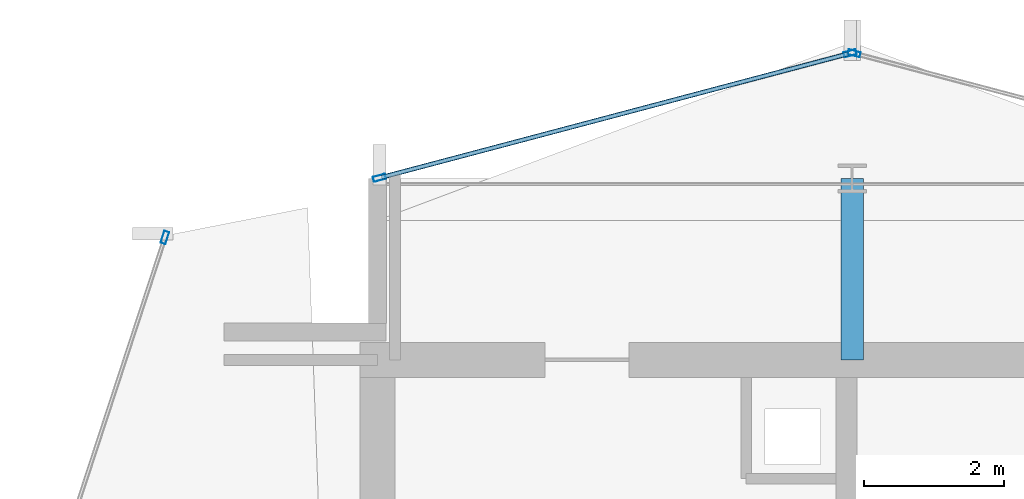
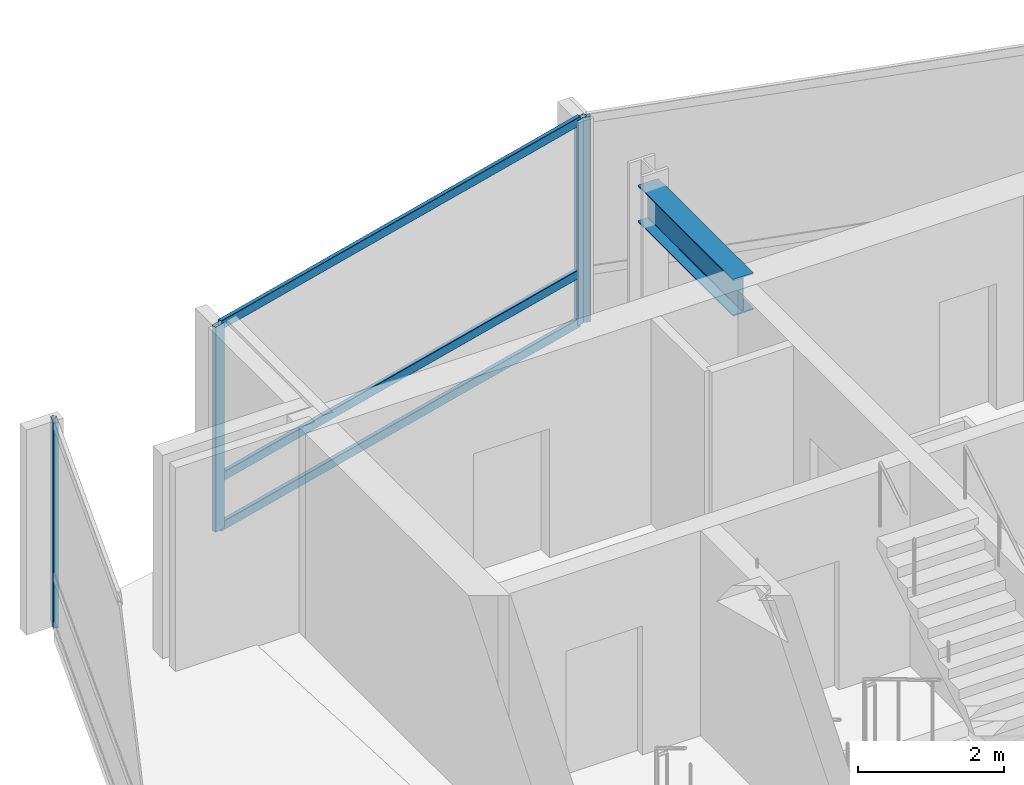
# One storey, part 16 of 27: 7 members, 1 beam, 3 elements without a shape of their own.
"""IFC4 building model written with IfcOpenShell, lengths in metres."""

from ifc_helpers import new_model, si_unit, direction, frame, origin, origin_2d, place, context, subcontext, project, spatial, hollow_rectangle, i_section, extrude, material, layer, layer_set, material_profile, profile_set, type_object, element, aggregate, save


model = new_model("IFC4")

# Units and contexts
model_context = context("Model", 3, precision=1e-05, world=origin(), true_north=direction((0.0, 1.0)))
body_context = subcontext(model_context, "Body", "Model", "MODEL_VIEW")
ifc_project = project(units=[si_unit("LENGTHUNIT", "METRE"), si_unit("AREAUNIT", "SQUARE_METRE"), si_unit("VOLUMEUNIT", "CUBIC_METRE"), si_unit("PLANEANGLEUNIT", "RADIAN"), si_unit("MASSUNIT", "GRAM", prefix="KILO")], contexts=[model_context])

# Site, building, storey
site_placement = place(None, origin())
site = spatial("IfcSite", under=ifc_project, at=site_placement, CompositionType="ELEMENT")
building_placement = place(site_placement, origin())
building = spatial("IfcBuilding", under=site, at=building_placement, Name="Solvaryn Broadcast Tower", CompositionType="ELEMENT")
storey_placement = place(building_placement, frame((0.0, 0.0, 174.199951171875)))
storey = spatial("IfcBuildingStorey", under=building, at=storey_placement, Name="L43", CompositionType="ELEMENT", Elevation=174.199951171875)

# Beam
ifc_material_1 = material(Name="Steel ASTM A992 Grade 50", Category="steel")
ifc_material_profile_1 = material_profile(ifc_material_1, i_section(OverallWidth=0.323974609375, OverallDepth=0.611083984375, WebThickness=0.0126953125, FlangeThickness=0.01904296875, FilletRadius=0.014892578125, at=origin_2d()))
ifc_profile_set_1 = profile_set([ifc_material_profile_1], Name="Steel ASTM A992 Grade 50")
beam_type = type_object("IfcBeamType", Name="BM-B1-W24X104", PredefinedType="BEAM", material=ifc_profile_set_1)
beam_placement = place(storey_placement, frame((18.0, 42.39990234375, 3.114501953125), z_axis=(0.0, 1.0, 0.0), x_axis=(-1.0, 0.0, 0.0)))
element("IfcBeam", 1, at=beam_placement, inside=storey, type_object=beam_type, Name="L43 Core Tie Beam CTW3", PredefinedType="BEAM", context=body_context, shape_type="SweptSolid", body=[
    extrude(i_section(OverallWidth=0.323974609375, OverallDepth=0.611083984375, WebThickness=0.0126953125, FlangeThickness=0.01904296875, FilletRadius=0.014892578125, at=origin_2d()), origin(), (0.0, 0.0, 1.0), 2.60009765625),
])

# Curtain wall, member
ifc_material_2 = material(Name="Aluminium and Terracotta Unitised Curtain Wall", Category="masonry")
ifc_layer = layer(ifc_material_2, 0.199951171875)
ifc_layer_set = layer_set([ifc_layer], Name="CW-SYS2-LOWMID")
curtain_wall_type = type_object("IfcCurtainWallType", Name="CW-SYS2-LOWMID", PredefinedType="NOTDEFINED", material=ifc_layer_set)
curtain_wall_1_placement = place(storey_placement, origin())
curtain_wall_1 = element("IfcCurtainWall", 2, at=curtain_wall_1_placement, inside=storey, type_object=curtain_wall_type, Name="L43 Curtain Wall DR1", PredefinedType="NOTDEFINED")
ifc_material_3 = material(Name="Anodised Aluminium 6063-T6", Category="aluminium")
ifc_material_profile_2 = material_profile(ifc_material_3, hollow_rectangle(XDim=0.074951171875, YDim=0.179931640625, WallThickness=0.00390625, InnerFilletRadius=0.00390625, OuterFilletRadius=0.008056640625, at=origin_2d()))
ifc_profile_set_2 = profile_set([ifc_material_profile_2], Name="Anodised Aluminium 6063-T6")
member_type_1 = type_object("IfcMemberType", Name="CW-MUL-180", PredefinedType="MULLION", material=ifc_profile_set_2)
member_1_placement = place(storey_placement, frame((8.153564453125, 44.153564453125, 0.0), z_axis=(0.0, 0.0, 1.0), x_axis=(0.950226902099, -0.311558717623, 0.0)))
member_1 = element("IfcMember", 3, at=member_1_placement, type_object=member_type_1, Name="CWS2 mullion 1", PredefinedType="MULLION", context=body_context, shape_type="SweptSolid", body=[
    extrude(hollow_rectangle(XDim=0.074951171875, YDim=0.179931640625, WallThickness=0.00390625, InnerFilletRadius=0.00390625, OuterFilletRadius=0.008056640625, at=origin_2d()), origin(), (0.0, 0.0, 1.0), 3.420166015625),
])
aggregate(curtain_wall_1, [member_1])

curtain_wall_2_placement = place(storey_placement, origin())
curtain_wall_2 = element("IfcCurtainWall", 4, at=curtain_wall_2_placement, inside=storey, type_object=curtain_wall_type, Name="L43 Curtain Wall NT1", PredefinedType="NOTDEFINED")
member_2_placement = place(storey_placement, frame((18.029052734375, 46.792236328125, 0.0), z_axis=(0.0, 0.0, 1.0), x_axis=(-0.25589256031, -0.966705227863, 0.0)))
member_2 = element("IfcMember", 5, at=member_2_placement, type_object=member_type_1, Name="CWS2 mullion 2", PredefinedType="MULLION", context=body_context, shape_type="SweptSolid", body=[
    extrude(hollow_rectangle(XDim=0.074951171875, YDim=0.179931640625, WallThickness=0.00390625, InnerFilletRadius=0.00390625, OuterFilletRadius=0.008056640625, at=origin_2d()), origin(), (0.0, 0.0, 1.0), 3.420166015625),
])
aggregate(curtain_wall_2, [member_2])

# Curtain wall, members
curtain_wall_3_placement = place(storey_placement, origin())
curtain_wall_3 = element("IfcCurtainWall", 6, at=curtain_wall_3_placement, inside=storey, type_object=curtain_wall_type, Name="L43 Curtain Wall NT2", PredefinedType="NOTDEFINED")
member_3_placement = place(storey_placement, frame((17.970947265625, 46.792236328125, 0.0), z_axis=(0.0, 0.0, 1.0), x_axis=(0.25589256031, -0.966705227863, 0.0)))
member_3 = element("IfcMember", 7, at=member_3_placement, type_object=member_type_1, Name="CWS2 mullion 1", PredefinedType="MULLION", context=body_context, shape_type="SweptSolid", body=[
    extrude(hollow_rectangle(XDim=0.074951171875, YDim=0.179931640625, WallThickness=0.00390625, InnerFilletRadius=0.00390625, OuterFilletRadius=0.008056640625, at=origin_2d()), origin(), (0.0, 0.0, 1.0), 3.420166015625),
])
member_4_placement = place(storey_placement, frame((11.22900390625, 45.007568359375, 0.0), z_axis=(0.0, 0.0, 1.0), x_axis=(0.25589256031, -0.966705227863, 0.0)))
member_4 = element("IfcMember", 8, at=member_4_placement, type_object=member_type_1, Name="CWS2 mullion 2", PredefinedType="MULLION", context=body_context, shape_type="SweptSolid", body=[
    extrude(hollow_rectangle(XDim=0.074951171875, YDim=0.179931640625, WallThickness=0.00390625, InnerFilletRadius=0.00390625, OuterFilletRadius=0.008056640625, at=origin_2d()), origin(), (0.0, 0.0, 1.0), 3.420166015625),
])
ifc_material_4 = material(Name="Anodised Aluminium 6063-T6", Category="aluminium")
ifc_material_profile_3 = material_profile(ifc_material_4, hollow_rectangle(XDim=0.06494140625, YDim=0.14990234375, WallThickness=0.00390625, InnerFilletRadius=0.00390625, OuterFilletRadius=0.008056640625, at=origin_2d()))
ifc_profile_set_3 = profile_set([ifc_material_profile_3], Name="Anodised Aluminium 6063-T6")
member_type_2 = type_object("IfcMemberType", Name="CW-TRN-150", PredefinedType="USERDEFINED", material=ifc_profile_set_3)
member_5_placement = place(storey_placement, frame((17.94189453125, 46.78466796875, 0.030029296875), z_axis=(-0.966703943301, -0.255897413051, 0.0), x_axis=(0.255897413051, -0.966703943301, 0.0)))
member_5 = element("IfcMember", 9, at=member_5_placement, type_object=member_type_2, Name="CWS2 transom 1.1", ObjectType="TRANSOM", PredefinedType="USERDEFINED", context=body_context, shape_type="SweptSolid", body=[
    extrude(hollow_rectangle(XDim=0.06494140625, YDim=0.14990234375, WallThickness=0.00390625, InnerFilletRadius=0.00390625, OuterFilletRadius=0.008056640625, at=origin_2d()), origin(), (0.0, 0.0, 1.0), 6.9140625),
])
member_6_placement = place(storey_placement, frame((17.94189453125, 46.78466796875, 0.85009765625), z_axis=(-0.966703943301, -0.255897413051, 0.0), x_axis=(0.255897413051, -0.966703943301, 0.0)))
member_6 = element("IfcMember", 10, at=member_6_placement, type_object=member_type_2, Name="CWS2 transom 1.2", ObjectType="TRANSOM", PredefinedType="USERDEFINED", context=body_context, shape_type="SweptSolid", body=[
    extrude(hollow_rectangle(XDim=0.06494140625, YDim=0.14990234375, WallThickness=0.00390625, InnerFilletRadius=0.00390625, OuterFilletRadius=0.008056640625, at=origin_2d()), origin(), (0.0, 0.0, 1.0), 6.9140625),
])
member_7_placement = place(storey_placement, frame((17.94189453125, 46.78466796875, 3.39013671875), z_axis=(-0.966703943301, -0.255897413051, 0.0), x_axis=(0.255897413051, -0.966703943301, 0.0)))
member_7 = element("IfcMember", 11, at=member_7_placement, type_object=member_type_2, Name="CWS2 transom 1.3", ObjectType="TRANSOM", PredefinedType="USERDEFINED", context=body_context, shape_type="SweptSolid", body=[
    extrude(hollow_rectangle(XDim=0.06494140625, YDim=0.14990234375, WallThickness=0.00390625, InnerFilletRadius=0.00390625, OuterFilletRadius=0.008056640625, at=origin_2d()), origin(), (0.0, 0.0, 1.0), 6.9140625),
])
aggregate(curtain_wall_3, [member_3, member_4, member_5, member_6, member_7])

save(model, "model.ifc")
